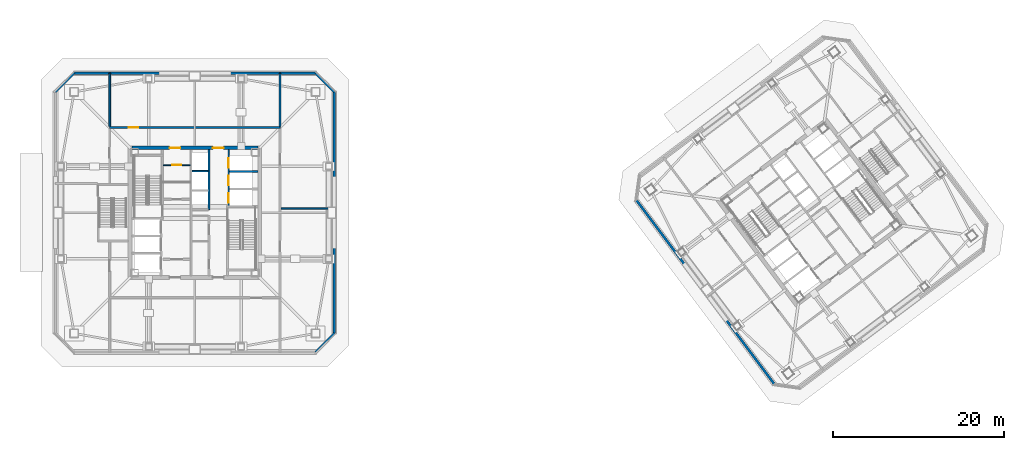
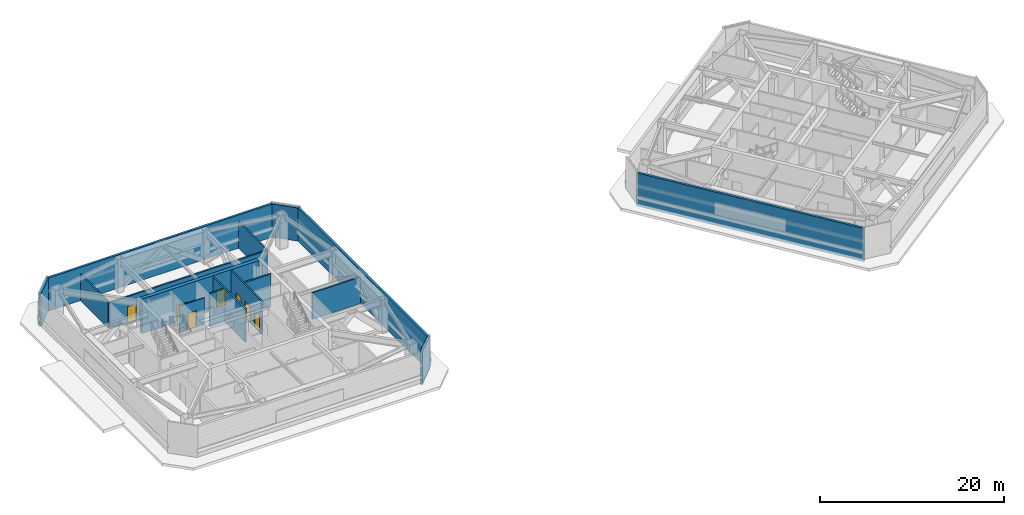
# One storey, part 6 of 15: 16 walls, 7 doors, 7 openings.
"""IFC4 building model written with IfcOpenShell, lengths in metres."""

from ifc_helpers import new_model, si_unit, direction, frame, frame_2d, origin, place, context, subcontext, project, spatial, rectangle, extrude, material, layer, layer_set, type_object, element, fill, save


model = new_model("IFC4")

# Units and contexts
model_context = context("Model", 3, precision=1e-05, world=origin(), true_north=direction((0.0, 1.0)))
body_context = subcontext(model_context, "Body", "Model", "MODEL_VIEW")
ifc_project = project(units=[si_unit("LENGTHUNIT", "METRE"), si_unit("AREAUNIT", "SQUARE_METRE"), si_unit("VOLUMEUNIT", "CUBIC_METRE"), si_unit("PLANEANGLEUNIT", "RADIAN"), si_unit("MASSUNIT", "GRAM", prefix="KILO")], contexts=[model_context])

# Site, building, storey
site_placement = place(None, origin())
site = spatial("IfcSite", under=ifc_project, at=site_placement, CompositionType="ELEMENT")
building_placement = place(site_placement, origin())
building = spatial("IfcBuilding", under=site, at=building_placement, Name="Tashvorn Skyway Center", CompositionType="ELEMENT")
storey_placement = place(building_placement, frame((0.0, 0.0, 199.60009765625)))
storey = spatial("IfcBuildingStorey", under=building, at=storey_placement, Name="L54", CompositionType="ELEMENT", Elevation=199.60009765625)

# Wall, openings, doors
ifc_material_1 = material(Name="Concrete C50/60", Category="concrete")
ifc_layer_1 = layer(ifc_material_1, 0.449951171875)
ifc_layer_set_1 = layer_set([ifc_layer_1], Name="Concrete C50/60")
wall_type_1 = type_object("IfcWallType", Name="WALL-CORE-450", PredefinedType="SHEAR", material=ifc_layer_set_1)
wall_1_placement = place(storey_placement, frame((34.64990234375, 39.574951171875, 0.0), z_axis=(0.0, 0.0, 1.0), x_axis=(1.0, 0.0, 0.0)))
wall_1 = element("IfcWall", 1, at=wall_1_placement, inside=storey, type_object=wall_type_1, Name="Tower 1 L54 North Core Shear Wall", PredefinedType="SHEAR", context=body_context, shape_type="SweptSolid", body=[
    extrude(rectangle(XDim=14.7001953125, YDim=0.449951171875, at=frame_2d((7.35009765625, 0.0))), origin(), (0.0, 0.0, 1.0), 4.599853515625),
])
opening_1_placement = place(wall_1_placement, frame((4.39990234375, 0.0, 0.0)))
opening_1 = element("IfcOpeningElement", 2, at=opening_1_placement, cuts=wall_1, Name="Opening D-FFL-1250", PredefinedType="OPENING", context=body_context, shape_type="SweptSolid", body=[
    extrude(rectangle(XDim=1.25, YDim=2.25, at=frame_2d((0.625, 1.125))), frame((0.0, 0.23486328125, 0.0), z_axis=(0.0, -1.0, 0.0), x_axis=(1.0, 0.0, 0.0)), (0.0, 0.0, 1.0), 0.469970703125),
])
opening_2_placement = place(wall_1_placement, frame((9.449951171875, 0.0, 0.0)))
opening_2 = element("IfcOpeningElement", 3, at=opening_2_placement, cuts=wall_1, Name="Opening D-FFL-1250", PredefinedType="OPENING", context=body_context, shape_type="SweptSolid", body=[
    extrude(rectangle(XDim=1.25, YDim=2.25, at=frame_2d((0.625, 1.125))), frame((0.0, 0.23486328125, 0.0), z_axis=(0.0, -1.0, 0.0), x_axis=(1.0, 0.0, 0.0)), (0.0, 0.0, 1.0), 0.469970703125),
])
ifc_material_2 = material(Name="Hollow galvanized steel fire door assembly", Category="steel")
door_type_1 = type_object("IfcDoorType", Name="DOOR-FFL-1250", OperationType="NOTDEFINED", PredefinedType="DOOR", material=ifc_material_2)
door_1_placement = place(opening_1_placement, origin())
door_1 = element("IfcDoor", 4, at=door_1_placement, inside=storey, type_object=door_type_1, Name="Tower 1 L54 Core North Service Lobby Door", OperationType="SINGLE_SWING_LEFT", OverallHeight=2.25, OverallWidth=1.25, PredefinedType="DOOR", context=body_context, shape_type="SweptSolid", body=[
    extrude(rectangle(XDim=1.25, YDim=2.25, at=frame_2d((0.625, 1.125))), frame((0.0, 0.02490234375, 0.0), z_axis=(0.0, -1.0, 0.0), x_axis=(1.0, 0.0, 0.0)), (0.0, 0.0, 1.0), 0.050048828125),
])
fill(opening_1, door_1)
door_2_placement = place(opening_2_placement, origin())
door_2 = element("IfcDoor", 5, at=door_2_placement, inside=storey, type_object=door_type_1, Name="Tower 1 L54 Core North Lift Lobby Door", OperationType="SINGLE_SWING_RIGHT", OverallHeight=2.25, OverallWidth=1.25, PredefinedType="DOOR", context=body_context, shape_type="SweptSolid", body=[
    extrude(rectangle(XDim=1.25, YDim=2.25, at=frame_2d((0.625, 1.125))), frame((0.0, 0.02490234375, 0.0), z_axis=(0.0, -1.0, 0.0), x_axis=(1.0, 0.0, 0.0)), (0.0, 0.0, 1.0), 0.050048828125),
])
fill(opening_2, door_2)

# Walls
ifc_material_3 = material(Name="Precast concrete C40/50", Category="concrete")
ifc_layer_2 = layer(ifc_material_3, 0.280029296875)
ifc_layer_set_2 = layer_set([ifc_layer_2], Name="Precast concrete C40/50")
wall_type_2 = type_object("IfcWallType", Name="WALL-EXT-280", PredefinedType="SOLIDWALL", material=ifc_layer_set_2)
for number, where, z_axis, x_axis, name in (
    (6, (27.820068359375, 48.280029296875, 0.0), (0.0, 0.0, 1.0), (1.0, 0.0, 0.0), "Tower 1 L54 North Mechanical Belt Wall"),
    (7, (58.280029296875, 46.179931640625, 0.0), (0.0, 0.0, 1.0), (0.0, -1.0, 0.0), "Tower 1 L54 East Mechanical Belt Wall"),
):
    element("IfcWall", number, at=place(storey_placement, frame(where, z_axis=z_axis, x_axis=x_axis)), inside=storey, type_object=wall_type_2, Name=name, PredefinedType="SOLIDWALL", context=body_context, shape_type="SweptSolid", body=[
        extrude(rectangle(XDim=28.35986328125, YDim=0.280029296875, at=frame_2d((14.179931640625, 0.0))), origin(), (0.0, 0.0, 1.0), 4.419921875),
    ])
for number, where, z_axis, x_axis, name in (
    (8, (25.699951171875, 46.10009765625, 0.0), (0.0, 0.0, 1.0), (0.707106781187, 0.707106781187, 0.0), "Tower 1 L54 NW Precast Chamfer Wall"),
    (9, (56.10009765625, 48.300048828125, 0.0), (0.0, 0.0, 1.0), (0.707106781187, -0.707106781187, 0.0), "Tower 1 L54 NE Precast Chamfer Wall"),
    (10, (58.300048828125, 17.89990234375, 0.0), (0.0, 0.0, 1.0), (-0.707106781187, -0.707106781187, 0.0), "Tower 1 L54 SE Precast Chamfer Wall"),
):
    element("IfcWall", number, at=place(storey_placement, frame(where, z_axis=z_axis, x_axis=x_axis)), inside=storey, type_object=wall_type_2, Name=name, PredefinedType="SOLIDWALL", context=body_context, shape_type="SweptSolid", body=[
        extrude(rectangle(XDim=3.111083984375, YDim=0.280029296875, at=frame_2d((1.5556640625, 0.0))), origin(), (0.0, 0.0, 1.0), 4.419921875),
    ])
wall_2_placement = place(storey_placement, frame((109.7041015625, 11.927978515625, 0.0), z_axis=(0.0, 0.0, 1.0), x_axis=(-0.599998551099, 0.800001086674, 0.0)))
element("IfcWall", 11, at=wall_2_placement, inside=storey, type_object=wall_type_2, Name="Tower 2 L54 West Mechanical Belt Wall", PredefinedType="SOLIDWALL", context=body_context, shape_type="SweptSolid", body=[
    extrude(rectangle(XDim=26.960205078125, YDim=0.280029296875, at=frame_2d((13.47998046875, 0.0))), origin(), (0.0, 0.0, 1.0), 4.419921875),
])

# Wall, opening, door
ifc_material_4 = material(Name="Gypsum board on cold-formed steel stud framing", Category="steel")
ifc_layer_3 = layer(ifc_material_4, 0.135009765625)
ifc_layer_set_3 = layer_set([ifc_layer_3], Name="Gypsum board on cold-formed steel stud framing")
wall_type_3 = type_object("IfcWallType", Name="WALL-RATED-135", PredefinedType="PARTITIONING", material=ifc_layer_set_3)
wall_3_placement = place(storey_placement, frame((38.300048828125, 37.550048828125, 0.0), z_axis=(0.0, 0.0, 1.0), x_axis=(1.0, 0.0, 0.0)))
wall_3 = element("IfcWall", 12, at=wall_3_placement, inside=storey, type_object=wall_type_3, Name="Tower 1 L54 Core Service Lobby Wall", PredefinedType="PARTITIONING", context=body_context, shape_type="SweptSolid", body=[
    extrude(rectangle(XDim=3.14990234375, YDim=0.135009765625, at=frame_2d((1.574951171875, 0.0))), origin(), (0.0, 0.0, 1.0), 3.531005859375),
])
opening_3_placement = place(wall_3_placement, frame((1.050048828125, 0.0, 0.0)))
opening_3 = element("IfcOpeningElement", 13, at=opening_3_placement, cuts=wall_3, Name="Opening D-RT-1050", PredefinedType="OPENING", context=body_context, shape_type="SweptSolid", body=[
    extrude(rectangle(XDim=1.050048828125, YDim=2.199951171875, at=frame_2d((0.52490234375, 1.10009765625))), frame((0.0, 0.077392578125, 0.0), z_axis=(0.0, -1.0, 0.0), x_axis=(1.0, 0.0, 0.0)), (0.0, 0.0, 1.0), 0.155029296875),
])
door_type_2 = type_object("IfcDoorType", Name="DOOR-RATED-1050", OperationType="NOTDEFINED", PredefinedType="DOOR", material=ifc_material_2)
door_3_placement = place(opening_3_placement, origin())
door_3 = element("IfcDoor", 14, at=door_3_placement, inside=storey, type_object=door_type_2, Name="Tower 1 L54 Core Accessible WC Door", OperationType="SINGLE_SWING_RIGHT", OverallHeight=2.199951171875, OverallWidth=1.050048828125, PredefinedType="DOOR", context=body_context, shape_type="SweptSolid", body=[
    extrude(rectangle(XDim=1.050048828125, YDim=2.199951171875, at=frame_2d((0.52490234375, 1.10009765625))), frame((0.0, 0.02490234375, 0.0), z_axis=(0.0, -1.0, 0.0), x_axis=(1.0, 0.0, 0.0)), (0.0, 0.0, 1.0), 0.050048828125),
])
fill(opening_3, door_3)

# Walls
ifc_material_5 = material(Name="Concrete C40/50", Category="concrete")
ifc_layer_4 = layer(ifc_material_5, 0.199951171875)
ifc_layer_set_4 = layer_set([ifc_layer_4], Name="Concrete C40/50")
wall_type_4 = type_object("IfcWallType", Name="WALL-SHAFT-200", PredefinedType="SOLIDWALL", material=ifc_layer_set_4)
wall_4_placement = place(storey_placement, frame((46.050048828125, 36.800048828125, 0.0), z_axis=(0.0, 0.0, 1.0), x_axis=(1.0, 0.0, 0.0)))
element("IfcWall", 15, at=wall_4_placement, inside=storey, type_object=wall_type_4, Name="Tower 1 L54 High-Rise Shaft Divider", PredefinedType="SOLIDWALL", context=body_context, shape_type="SweptSolid", body=[
    extrude(rectangle(XDim=3.300048828125, YDim=0.199951171875, at=frame_2d((1.64990234375, 0.0))), origin(), (0.0, 0.0, 1.0), 4.419921875),
])
wall_5_placement = place(storey_placement, frame((43.64990234375, 32.35009765625, 0.0), z_axis=(0.0, 0.0, 1.0), x_axis=(0.0, 1.0, 0.0)))
element("IfcWall", 16, at=wall_5_placement, inside=storey, type_object=wall_type_4, Name="Tower 1 L54 Mid-Rise Core Wall", PredefinedType="SOLIDWALL", context=body_context, shape_type="SweptSolid", body=[
    extrude(rectangle(XDim=7.0, YDim=0.199951171875, at=frame_2d((3.5, 0.0))), origin(), (0.0, 0.0, 1.0), 4.419921875),
])
wall_6_placement = place(storey_placement, frame((41.669921875, 36.85009765625, 0.0), z_axis=(0.0, 0.0, 1.0), x_axis=(1.0, 0.0, 0.0)))
element("IfcWall", 17, at=wall_6_placement, inside=storey, type_object=wall_type_4, Name="Tower 1 L54 Mid-Rise Shaft Divider", PredefinedType="SOLIDWALL", context=body_context, shape_type="SweptSolid", body=[
    extrude(rectangle(XDim=1.880126953125, YDim=0.199951171875, at=frame_2d((0.93994140625, 0.0))), origin(), (0.0, 0.0, 1.0), 4.419921875),
])

# Wall, opening, door
wall_7_placement = place(storey_placement, frame((32.050048828125, 41.949951171875, 0.0), z_axis=(0.0, 0.0, 1.0), x_axis=(1.0, 0.0, 0.0)))
wall_7 = element("IfcWall", 18, at=wall_7_placement, inside=storey, type_object=wall_type_4, Name="Tower 1 L54 Plant Corridor North Wall", PredefinedType="SOLIDWALL", context=body_context, shape_type="SweptSolid", body=[
    extrude(rectangle(XDim=19.89990234375, YDim=0.199951171875, at=frame_2d((9.949951171875, 0.0))), origin(), (0.0, 0.0, 1.0), 3.531005859375),
])
opening_4_placement = place(wall_7_placement, frame((2.199951171875, 0.0, 0.0)))
opening_4 = element("IfcOpeningElement", 19, at=opening_4_placement, cuts=wall_7, Name="Opening D-ST-1150", PredefinedType="OPENING", context=body_context, shape_type="SweptSolid", body=[
    extrude(rectangle(XDim=1.14990234375, YDim=2.199951171875, at=frame_2d((0.574951171875, 1.10009765625))), frame((0.0, 0.10986328125, 0.0), z_axis=(0.0, -1.0, 0.0), x_axis=(1.0, 0.0, 0.0)), (0.0, 0.0, 1.0), 0.219970703125),
])
door_type_3 = type_object("IfcDoorType", Name="DOOR-STAIR-1150", OperationType="NOTDEFINED", PredefinedType="DOOR", material=ifc_material_2)
door_4_placement = place(opening_4_placement, origin())
door_4 = element("IfcDoor", 20, at=door_4_placement, inside=storey, type_object=door_type_3, Name="Tower 1 L54 Chiller Plant Door", OperationType="SINGLE_SWING_LEFT", OverallHeight=2.199951171875, OverallWidth=1.14990234375, PredefinedType="DOOR", context=body_context, shape_type="SweptSolid", body=[
    extrude(rectangle(XDim=1.14990234375, YDim=2.199951171875, at=frame_2d((0.574951171875, 1.10009765625))), frame((0.0, 0.02490234375, 0.0), z_axis=(0.0, -1.0, 0.0), x_axis=(1.0, 0.0, 0.0)), (0.0, 0.0, 1.0), 0.050048828125),
])
fill(opening_4, door_4)

# Walls
for number, where, z_axis, x_axis, name in (
    (21, (32.050048828125, 42.070068359375, 0.0), (0.0, 0.0, 1.0), (0.0, 1.0, 0.0), "Tower 1 L54 Plant Radial NW"),
    (22, (51.949951171875, 42.070068359375, 0.0), (0.0, 0.0, 1.0), (0.0, 1.0, 0.0), "Tower 1 L54 Plant Radial NE"),
    (23, (52.070068359375, 32.5, 0.0), (0.0, 0.0, 1.0), (1.0, 0.0, 0.0), "Tower 1 L54 Refuge East Fire Wall"),
):
    element("IfcWall", number, at=place(storey_placement, frame(where, z_axis=z_axis, x_axis=x_axis)), inside=storey, type_object=wall_type_4, Name=name, PredefinedType="SOLIDWALL", context=body_context, shape_type="SweptSolid", body=[
        extrude(rectangle(XDim=6.2099609375, YDim=0.199951171875, at=frame_2d((3.10498046875, 0.0))), origin(), (0.0, 0.0, 1.0), 3.531005859375),
    ])

# Wall, openings, doors
ifc_layer_5 = layer(ifc_material_5, 0.199951171875)
ifc_layer_set_5 = layer_set([ifc_layer_5], Name="Concrete C40/50")
wall_type_5 = type_object("IfcWallType", Name="WALL-STSHF-200", PredefinedType="SHEAR", material=ifc_layer_set_5)
wall_8_placement = place(storey_placement, frame((45.949951171875, 39.35009765625, 0.0), z_axis=(0.0, 0.0, 1.0), x_axis=(0.0, -1.0, 0.0)))
wall_8 = element("IfcWall", 24, at=wall_8_placement, inside=storey, type_object=wall_type_5, Name="Tower 1 L54 High-Rise Lift Shaft Front Wall", PredefinedType="SHEAR", context=body_context, shape_type="SweptSolid", body=[
    extrude(rectangle(XDim=6.550048828125, YDim=0.199951171875, at=frame_2d((3.27490234375, 0.0))), origin(), (0.0, 0.0, 1.0), 4.419921875),
])
opening_5_placement = place(wall_8_placement, frame((5.074951171875, 0.0, 0.0)))
opening_5 = element("IfcOpeningElement", 25, at=opening_5_placement, cuts=wall_8, Name="Opening LD-HR-T1-1-L54", PredefinedType="OPENING", context=body_context, shape_type="SweptSolid", body=[
    extrude(rectangle(XDim=1.10009765625, YDim=2.199951171875, at=frame_2d((0.550048828125, 1.10009765625))), frame((0.0, 0.10986328125, 0.0), z_axis=(0.0, -1.0, 0.0), x_axis=(1.0, 0.0, 0.0)), (0.0, 0.0, 1.0), 0.219970703125),
])
opening_6_placement = place(wall_8_placement, frame((3.02490234375, 0.0, 0.0)))
opening_6 = element("IfcOpeningElement", 26, at=opening_6_placement, cuts=wall_8, Name="Opening LD-HR-T1-2-L54", PredefinedType="OPENING", context=body_context, shape_type="SweptSolid", body=[
    extrude(rectangle(XDim=1.10009765625, YDim=2.199951171875, at=frame_2d((0.550048828125, 1.10009765625))), frame((0.0, 0.10986328125, 0.0), z_axis=(0.0, -1.0, 0.0), x_axis=(1.0, 0.0, 0.0)), (0.0, 0.0, 1.0), 0.219970703125),
])
opening_7_placement = place(wall_8_placement, frame((1.02490234375, 0.0, 0.0)))
opening_7 = element("IfcOpeningElement", 27, at=opening_7_placement, cuts=wall_8, Name="Opening LD-HR-T1-3-L54", PredefinedType="OPENING", context=body_context, shape_type="SweptSolid", body=[
    extrude(rectangle(XDim=1.10009765625, YDim=2.199951171875, at=frame_2d((0.550048828125, 1.10009765625))), frame((0.0, 0.10986328125, 0.0), z_axis=(0.0, -1.0, 0.0), x_axis=(1.0, 0.0, 0.0)), (0.0, 0.0, 1.0), 0.219970703125),
])
ifc_material_6 = material(Name="Stainless steel landing door", Category="steel")
door_type_4 = type_object("IfcDoorType", Name="DOOR-LIFT-1100", OperationType="SLIDING_TO_LEFT", PredefinedType="DOOR", material=ifc_material_6)
door_5_placement = place(opening_5_placement, origin())
door_5 = element("IfcDoor", 28, at=door_5_placement, inside=storey, type_object=door_type_4, Name="Lift HR-T1-1 L54 Landing Door", OperationType="SLIDING_TO_LEFT", OverallHeight=2.199951171875, OverallWidth=1.10009765625, PredefinedType="DOOR", context=body_context, shape_type="SweptSolid", body=[
    extrude(rectangle(XDim=1.10009765625, YDim=2.199951171875, at=frame_2d((0.550048828125, 1.10009765625))), frame((0.0, 0.02490234375, 0.0), z_axis=(0.0, -1.0, 0.0), x_axis=(1.0, 0.0, 0.0)), (0.0, 0.0, 1.0), 0.050048828125),
])
fill(opening_5, door_5)
door_6_placement = place(opening_6_placement, origin())
door_6 = element("IfcDoor", 29, at=door_6_placement, inside=storey, type_object=door_type_4, Name="Lift HR-T1-2 L54 Landing Door", OperationType="SLIDING_TO_LEFT", OverallHeight=2.199951171875, OverallWidth=1.10009765625, PredefinedType="DOOR", context=body_context, shape_type="SweptSolid", body=[
    extrude(rectangle(XDim=1.10009765625, YDim=2.199951171875, at=frame_2d((0.550048828125, 1.10009765625))), frame((0.0, 0.02490234375, 0.0), z_axis=(0.0, -1.0, 0.0), x_axis=(1.0, 0.0, 0.0)), (0.0, 0.0, 1.0), 0.050048828125),
])
fill(opening_6, door_6)
door_7_placement = place(opening_7_placement, origin())
door_7 = element("IfcDoor", 30, at=door_7_placement, inside=storey, type_object=door_type_4, Name="Lift HR-T1-3 L54 Landing Door", OperationType="SLIDING_TO_LEFT", OverallHeight=2.199951171875, OverallWidth=1.10009765625, PredefinedType="DOOR", context=body_context, shape_type="SweptSolid", body=[
    extrude(rectangle(XDim=1.10009765625, YDim=2.199951171875, at=frame_2d((0.550048828125, 1.10009765625))), frame((0.0, 0.02490234375, 0.0), z_axis=(0.0, -1.0, 0.0), x_axis=(1.0, 0.0, 0.0)), (0.0, 0.0, 1.0), 0.050048828125),
])
fill(opening_7, door_7)

save(model, "model.ifc")
